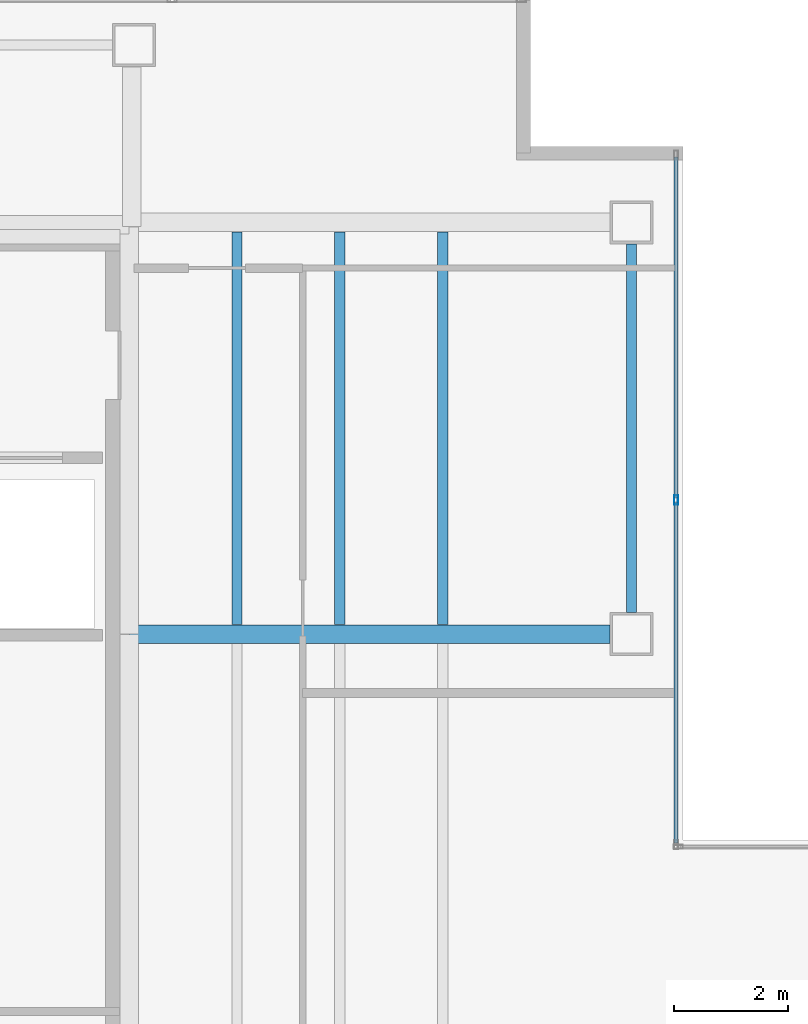
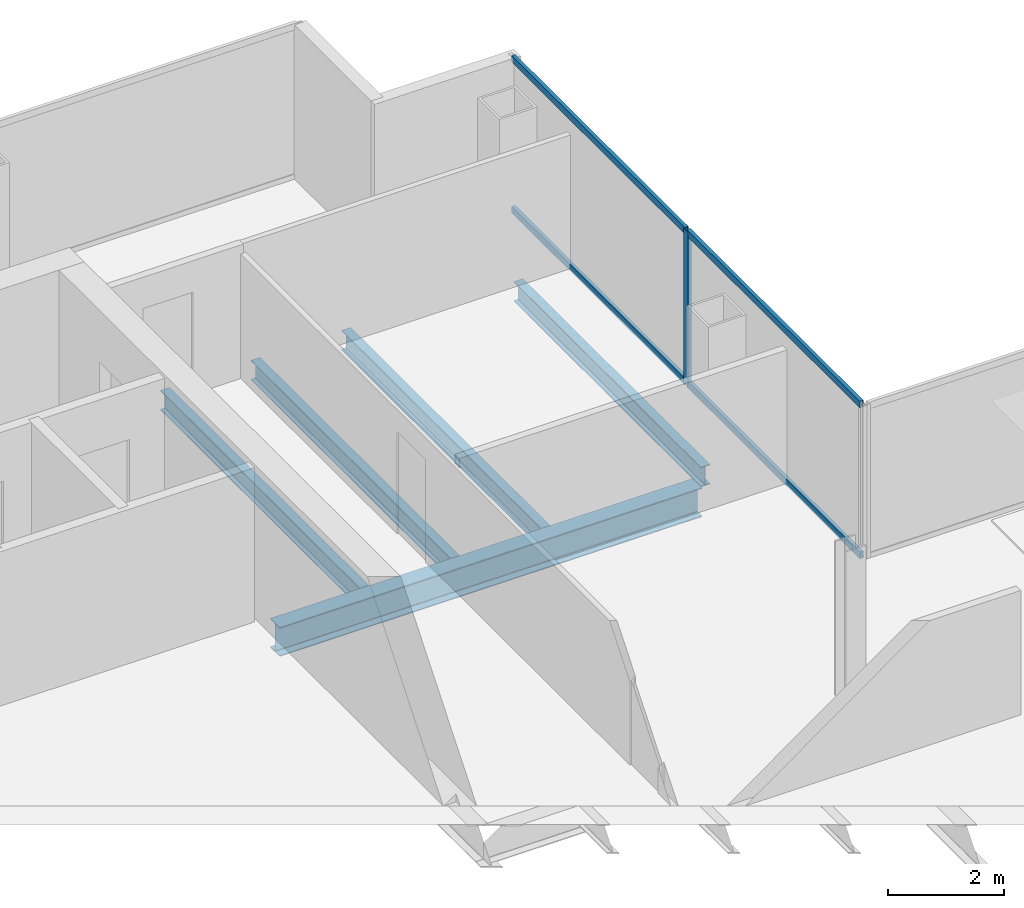
# One storey, part 9 of 23: 5 beams, 5 members, 1 element without a shape of its own.
"""IFC4 building model written with IfcOpenShell, lengths in metres."""

from ifc_helpers import new_model, si_unit, direction, frame, origin, origin_2d, place, context, subcontext, project, spatial, hollow_rectangle, i_section, extrude, material, material_profile, profile_set, type_object, element, aggregate, save


model = new_model("IFC4")

# Units and contexts
model_context = context("Model", 3, precision=1e-05, world=origin(), true_north=direction((0.0, 1.0)))
body_context = subcontext(model_context, "Body", "Model", "MODEL_VIEW")
ifc_project = project(units=[si_unit("LENGTHUNIT", "METRE"), si_unit("AREAUNIT", "SQUARE_METRE"), si_unit("VOLUMEUNIT", "CUBIC_METRE"), si_unit("PLANEANGLEUNIT", "RADIAN"), si_unit("MASSUNIT", "GRAM", prefix="KILO")], contexts=[model_context])

# Site, building, storey
site_placement = place(None, origin())
site = spatial("IfcSite", under=ifc_project, at=site_placement, CompositionType="ELEMENT")
building_placement = place(site_placement, origin())
building = spatial("IfcBuilding", under=site, at=building_placement, Name="Cobrela Telecom Tower", CompositionType="ELEMENT")
storey_placement = place(building_placement, frame((0.0, 0.0, 218.75)))
storey = spatial("IfcBuildingStorey", under=building, at=storey_placement, Name="L56", CompositionType="ELEMENT", Elevation=218.75)

# Beams
ifc_material_1 = material(Name="Steel ASTM A992 Grade 50", Category="steel")
ifc_material_profile_1 = material_profile(ifc_material_1, i_section(OverallWidth=0.324951171875, OverallDepth=0.612060546875, WebThickness=0.0126953125, FlangeThickness=0.01904296875, FilletRadius=0.014892578125, at=origin_2d()), Name="W24X104")
ifc_profile_set_1 = profile_set([ifc_material_profile_1], Name="Steel ASTM A992 Grade 50")
beam_type_1 = type_object("IfcBeamType", Name="BM-GIRD-07", PredefinedType="USERDEFINED", material=ifc_profile_set_1)
beam_1_placement = place(storey_placement, frame((14.324951171875, 28.800048828125, -0.56591796875), z_axis=(1.0, 0.0, 0.0), x_axis=(0.0, 1.0, 0.0)))
element("IfcBeam", 1, at=beam_1_placement, inside=storey, type_object=beam_type_1, Name="L56 Primary Girder X19", ObjectType="GIRDER", PredefinedType="USERDEFINED", context=body_context, shape_type="SweptSolid", body=[
    extrude(i_section(OverallWidth=0.324951171875, OverallDepth=0.612060546875, WebThickness=0.0126953125, FlangeThickness=0.01904296875, FilletRadius=0.014892578125, at=origin_2d()), origin(), (0.0, 0.0, 1.0), 8.39501953125),
])
ifc_material_profile_2 = material_profile(ifc_material_1, i_section(OverallWidth=0.179931640625, OverallDepth=0.4169921875, WebThickness=0.010986328125, FlangeThickness=0.01806640625, FilletRadius=0.011962890625, at=origin_2d()), Name="W16X57")
ifc_profile_set_2 = profile_set([ifc_material_profile_2], Name="Steel ASTM A992 Grade 50")
beam_type_2 = type_object("IfcBeamType", Name="BM-JOIST-04", PredefinedType="JOIST", material=ifc_profile_set_2)
for number, where, z_axis, x_axis, name in (
    (2, (16.199951171875, 28.967529296875, -0.468505859375), (0.0, 1.0, 0.0), (-1.0, 0.0, 0.0), "L56 Secondary Composite Floor Beam J04"),
    (3, (18.0, 28.967529296875, -0.468505859375), (0.0, 1.0, 0.0), (-1.0, 0.0, 0.0), "L56 Secondary Composite Floor Beam J08"),
    (4, (19.800048828125, 28.967529296875, -0.468505859375), (0.0, 1.0, 0.0), (-1.0, 0.0, 0.0), "L56 Secondary Composite Floor Beam J12"),
):
    element("IfcBeam", number, at=place(storey_placement, frame(where, z_axis=z_axis, x_axis=x_axis)), inside=storey, type_object=beam_type_2, Name=name, PredefinedType="JOIST", context=body_context, shape_type="SweptSolid", body=[
        extrude(i_section(OverallWidth=0.179931640625, OverallDepth=0.4169921875, WebThickness=0.010986328125, FlangeThickness=0.01806640625, FilletRadius=0.011962890625, at=origin_2d()), origin(), (0.0, 0.0, 1.0), 6.864990234375),
    ])
ifc_material_profile_3 = material_profile(ifc_material_1, i_section(OverallWidth=0.179931640625, OverallDepth=0.4169921875, WebThickness=0.010986328125, FlangeThickness=0.01806640625, FilletRadius=0.011962890625, at=origin_2d()), Name="W16X57")
ifc_profile_set_3 = profile_set([ifc_material_profile_3], Name="Steel ASTM A992 Grade 50")
beam_type_3 = type_object("IfcBeamType", Name="BM-SPAND-06", PredefinedType="SPANDREL", material=ifc_profile_set_3)
beam_2_placement = place(storey_placement, frame((23.10009765625, 29.179931640625, -0.468505859375), z_axis=(0.0, 1.0, 0.0), x_axis=(-1.0, 0.0, 0.0)))
element("IfcBeam", 5, at=beam_2_placement, inside=storey, type_object=beam_type_3, Name="L56 Perimeter Spandrel Y35", PredefinedType="SPANDREL", context=body_context, shape_type="SweptSolid", body=[
    extrude(i_section(OverallWidth=0.179931640625, OverallDepth=0.4169921875, WebThickness=0.010986328125, FlangeThickness=0.01806640625, FilletRadius=0.011962890625, at=origin_2d()), origin(), (0.0, 0.0, 1.0), 6.440185546875),
])

# Curtain wall, members
ifc_material_2 = material(Name="Anodized Bronze Aluminium 6063-T6", Category="aluminium")
curtain_wall_type = type_object("IfcCurtainWallType", Name="CW-SYS-OFF-LO", PredefinedType="USERDEFINED", material=ifc_material_2)
curtain_wall_placement = place(storey_placement, origin())
curtain_wall = element("IfcCurtainWall", 6, at=curtain_wall_placement, inside=storey, type_object=curtain_wall_type, Name="L56 Unitised Bronze Curtain Wall 10", ObjectType="UNITISED CURTAIN WALL", PredefinedType="USERDEFINED")
ifc_material_profile_4 = material_profile(ifc_material_2, hollow_rectangle(XDim=0.070068359375, YDim=0.159912109375, WallThickness=0.00390625, at=origin_2d()), Name="ALU 70x160x4")
ifc_profile_set_4 = profile_set([ifc_material_profile_4], Name="Anodized Bronze Aluminium 6063-T6")
member_type_1 = type_object("IfcMemberType", Name="CW-SYS-OFF-LO-MUL", PredefinedType="MULLION", material=ifc_profile_set_4)
member_1_placement = place(storey_placement, frame((23.8798828125, 31.14501953125, 0.0), z_axis=(0.0, 0.0, 1.0), x_axis=(1.0, 0.0, 0.0)))
member_1 = element("IfcMember", 7, at=member_1_placement, type_object=member_type_1, Name="CW-OFF-LO mullion 2", PredefinedType="MULLION", context=body_context, shape_type="SweptSolid", body=[
    extrude(hollow_rectangle(XDim=0.070068359375, YDim=0.159912109375, WallThickness=0.00390625, at=origin_2d()), origin(), (0.0, 0.0, 1.0), 3.239990234375),
])
ifc_material_profile_5 = material_profile(ifc_material_2, hollow_rectangle(XDim=0.070068359375, YDim=0.139892578125, WallThickness=0.00390625, at=origin_2d()), Name="ALU 70x140x4")
ifc_profile_set_5 = profile_set([ifc_material_profile_5], Name="Anodized Bronze Aluminium 6063-T6")
member_type_2 = type_object("IfcMemberType", Name="CW-SYS-OFF-LO-TRN", PredefinedType="USERDEFINED", material=ifc_profile_set_5)
member_2_placement = place(storey_placement, frame((23.8798828125, 37.139892578125, 0.034912109375), z_axis=(0.0, -1.0, 0.0), x_axis=(1.0, 0.0, 0.0)))
member_2 = element("IfcMember", 8, at=member_2_placement, type_object=member_type_2, Name="CW-OFF-LO transom 1.1", ObjectType="TRANSOM", PredefinedType="USERDEFINED", context=body_context, shape_type="SweptSolid", body=[
    extrude(hollow_rectangle(XDim=0.070068359375, YDim=0.139892578125, WallThickness=0.00390625, at=origin_2d()), origin(), (0.0, 0.0, 1.0), 5.9599609375),
])
member_3_placement = place(storey_placement, frame((23.8798828125, 37.139892578125, 3.205078125), z_axis=(0.0, -1.0, 0.0), x_axis=(1.0, 0.0, 0.0)))
member_3 = element("IfcMember", 9, at=member_3_placement, type_object=member_type_2, Name="CW-OFF-LO transom 1.2", ObjectType="TRANSOM", PredefinedType="USERDEFINED", context=body_context, shape_type="SweptSolid", body=[
    extrude(hollow_rectangle(XDim=0.070068359375, YDim=0.139892578125, WallThickness=0.00390625, at=origin_2d()), origin(), (0.0, 0.0, 1.0), 5.9599609375),
])
member_4_placement = place(storey_placement, frame((23.8798828125, 31.110107421875, 0.034912109375), z_axis=(0.0, -1.0, 0.0), x_axis=(1.0, 0.0, 0.0)))
member_4 = element("IfcMember", 10, at=member_4_placement, type_object=member_type_2, Name="CW-OFF-LO transom 2.1", ObjectType="TRANSOM", PredefinedType="USERDEFINED", context=body_context, shape_type="SweptSolid", body=[
    extrude(hollow_rectangle(XDim=0.070068359375, YDim=0.139892578125, WallThickness=0.00390625, at=origin_2d()), origin(), (0.0, 0.0, 1.0), 5.960205078125),
])
member_5_placement = place(storey_placement, frame((23.8798828125, 31.110107421875, 3.205078125), z_axis=(0.0, -1.0, 0.0), x_axis=(1.0, 0.0, 0.0)))
member_5 = element("IfcMember", 11, at=member_5_placement, type_object=member_type_2, Name="CW-OFF-LO transom 2.2", ObjectType="TRANSOM", PredefinedType="USERDEFINED", context=body_context, shape_type="SweptSolid", body=[
    extrude(hollow_rectangle(XDim=0.070068359375, YDim=0.139892578125, WallThickness=0.00390625, at=origin_2d()), origin(), (0.0, 0.0, 1.0), 5.960205078125),
])
aggregate(curtain_wall, [member_1, member_2, member_3, member_4, member_5])

save(model, "model.ifc")
